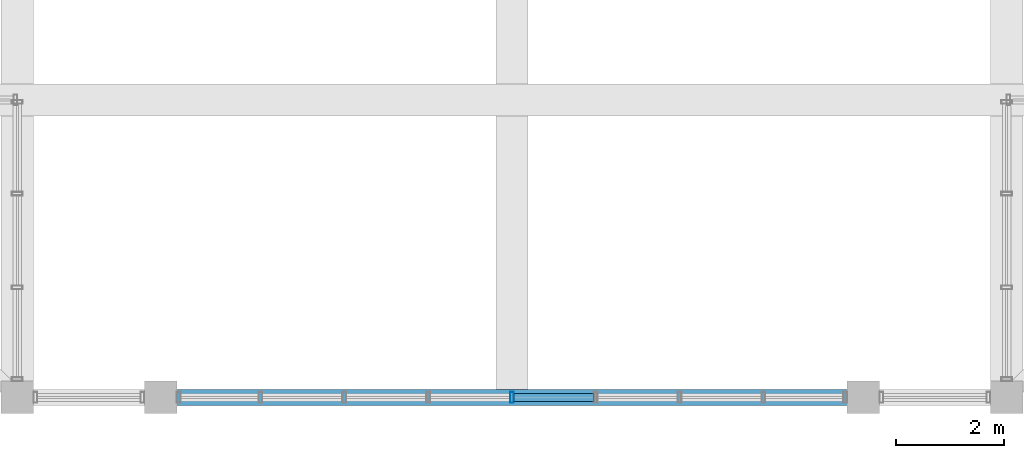
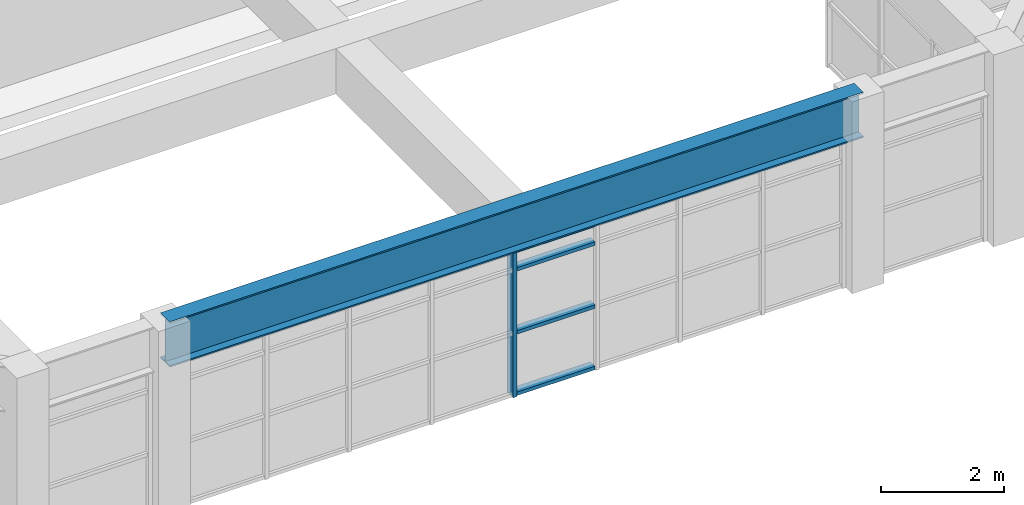
# One storey, part 3 of 28: 5 members, 1 beam, 1 element without a shape of its own.
"""IFC4 building model written with IfcOpenShell, lengths in metres."""

from ifc_helpers import new_model, si_unit, direction, frame, origin, origin_2d, place, context, subcontext, project, spatial, hollow_rectangle, i_section, extrude, source, transform, mapped, material, layer, layer_set, material_profile, profile_set, type_object, element, aggregate, save


model = new_model("IFC4")

# Units and contexts
model_context = context("Model", 3, precision=1e-05, world=origin(), true_north=direction((0.0, 1.0)))
body_context = subcontext(model_context, "Body", "Model", "MODEL_VIEW")
ifc_project = project(units=[si_unit("LENGTHUNIT", "METRE"), si_unit("AREAUNIT", "SQUARE_METRE"), si_unit("VOLUMEUNIT", "CUBIC_METRE"), si_unit("PLANEANGLEUNIT", "RADIAN"), si_unit("MASSUNIT", "GRAM", prefix="KILO")], contexts=[model_context])

# Site, building, storey
site_placement = place(None, origin())
site = spatial("IfcSite", under=ifc_project, at=site_placement, CompositionType="ELEMENT")
building_placement = place(site_placement, origin())
building = spatial("IfcBuilding", under=site, at=building_placement, Name="Saelheon Loggia Tower", CompositionType="ELEMENT")
storey_placement = place(building_placement, frame((0.0, 0.0, 271.199951171875)))
storey = spatial("IfcBuildingStorey", under=building, at=storey_placement, Name="CR6", CompositionType="ELEMENT", Elevation=271.199951171875)

# Beam
ifc_material_1 = material(Name="Steel SM355", Category="steel")
ifc_material_profile_1 = material_profile(ifc_material_1, i_section(OverallWidth=0.300048828125, OverallDepth=0.89990234375, WebThickness=0.01611328125, FlangeThickness=0.028076171875, at=origin_2d()), Name="H-900x300x16x28")
ifc_profile_set_1 = profile_set([ifc_material_profile_1], Name="Steel SM355")
beam_type = type_object("IfcBeamType", Name="Beam_PoolGirder_Steel_H900", PredefinedType="BEAM", material=ifc_profile_set_1)
shared_shape_1 = source(origin(), body_context, "Body", "SweptSolid", [
    extrude(i_section(OverallWidth=0.300048828125, OverallDepth=0.89990234375, WebThickness=0.01611328125, FlangeThickness=0.028076171875, at=origin_2d()), origin(), (0.0, 0.0, 1.0), 13.0),
])
beam_placement = place(storey_placement, frame((31.5, 6.35009765625, 3.35009765625), z_axis=(1.0, 0.0, 0.0), x_axis=(0.0, 1.0, 0.0)))
element("IfcBeam", 1, at=beam_placement, inside=storey, type_object=beam_type, Name="CR6 CROWN FRAME Sill Girder 02", PredefinedType="BEAM", context=body_context, shape_type="MappedRepresentation", body=[
    mapped(shared_shape_1, transform((0.0, 0.0, 0.0), scale=1.0)),
])

# Curtain wall, members
ifc_material_2 = material(Name="Bronze-Anodised Aluminium and Fritted Ceramic Screen", Category="aluminium")
ifc_layer = layer(ifc_material_2, 0.219970703125)
ifc_layer_set = layer_set([ifc_layer], Name="Bronze-Anodised Aluminium and Fritted Ceramic Screen")
curtain_wall_type = type_object("IfcCurtainWallType", Name="CW_CrownScreen", PredefinedType="NOTDEFINED", material=ifc_layer_set)
curtain_wall_placement = place(storey_placement, origin())
curtain_wall = element("IfcCurtainWall", 2, at=curtain_wall_placement, inside=storey, type_object=curtain_wall_type, Name="CR6 Crown Screen Curtain Wall 0-2", PredefinedType="NOTDEFINED")
ifc_material_3 = material(Name="Bronze-Anodised Aluminium 6063-T6", Category="aluminium")
ifc_material_profile_2 = material_profile(ifc_material_3, hollow_rectangle(XDim=0.070068359375, YDim=0.199951171875, WallThickness=0.0048828125, at=origin_2d()), Name="RHS-200x70x5")
ifc_profile_set_2 = profile_set([ifc_material_profile_2], Name="Bronze-Anodised Aluminium 6063-T6")
member_type_1 = type_object("IfcMemberType", Name="CW_CrownScreen_Mullion", PredefinedType="MULLION", material=ifc_profile_set_2)
shared_shape_2 = source(origin(), body_context, "Body", "SweptSolid", [
    extrude(hollow_rectangle(XDim=0.070068359375, YDim=0.199951171875, WallThickness=0.0048828125, at=origin_2d()), origin(), (0.0, 0.0, 1.0), 2.900146484375),
])
member_1_placement = place(storey_placement, frame((38.0, 6.35009765625, 0.0), z_axis=(0.0, 0.0, 1.0), x_axis=(1.0, 0.0, 0.0)))
member_1 = element("IfcMember", 3, at=member_1_placement, type_object=member_type_1, Name="CW6 mullion 5", PredefinedType="MULLION", context=body_context, shape_type="MappedRepresentation", body=[
    mapped(shared_shape_2, transform((0.0, 0.0, 0.0), scale=1.0)),
])
ifc_material_profile_3 = material_profile(ifc_material_3, hollow_rectangle(XDim=0.070068359375, YDim=0.14990234375, WallThickness=0.0048828125, at=origin_2d()), Name="RHS-150x70x5")
ifc_profile_set_3 = profile_set([ifc_material_profile_3], Name="Bronze-Anodised Aluminium 6063-T6")
member_type_2 = type_object("IfcMemberType", Name="CW_CrownScreen_Transom", PredefinedType="USERDEFINED", material=ifc_profile_set_3)
shared_shape_3 = source(origin(), body_context, "Body", "SweptSolid", [
    extrude(hollow_rectangle(XDim=0.070068359375, YDim=0.14990234375, WallThickness=0.0048828125, at=origin_2d()), origin(), (0.0, 0.0, 1.0), 1.47998046875),
])
member_2_placement = place(storey_placement, frame((38.034912109375, 6.35009765625, 0.03515625), z_axis=(1.0, 0.0, 0.0), x_axis=(0.0, 0.0, 1.0)))
member_2 = element("IfcMember", 4, at=member_2_placement, type_object=member_type_2, Name="CW6 transom 5.1", ObjectType="TRANSOM", PredefinedType="USERDEFINED", context=body_context, shape_type="MappedRepresentation", body=[
    mapped(shared_shape_3, transform((0.0, 0.0, 0.0), scale=1.0)),
])
member_3_placement = place(storey_placement, frame((38.034912109375, 6.35009765625, 1.25), z_axis=(1.0, 0.0, 0.0), x_axis=(0.0, 0.0, 1.0)))
member_3 = element("IfcMember", 5, at=member_3_placement, type_object=member_type_2, Name="CW6 transom 5.2", ObjectType="TRANSOM", PredefinedType="USERDEFINED", context=body_context, shape_type="MappedRepresentation", body=[
    mapped(shared_shape_3, transform((0.0, 0.0, 0.0), scale=1.0)),
])
member_4_placement = place(storey_placement, frame((38.034912109375, 6.35009765625, 2.5), z_axis=(1.0, 0.0, 0.0), x_axis=(0.0, 0.0, 1.0)))
member_4 = element("IfcMember", 6, at=member_4_placement, type_object=member_type_2, Name="CW6 transom 5.3", ObjectType="TRANSOM", PredefinedType="USERDEFINED", context=body_context, shape_type="MappedRepresentation", body=[
    mapped(shared_shape_3, transform((0.0, 0.0, 0.0), scale=1.0)),
])
member_5_placement = place(storey_placement, frame((38.034912109375, 6.35009765625, 2.864990234375), z_axis=(1.0, 0.0, 0.0), x_axis=(0.0, 0.0, 1.0)))
member_5 = element("IfcMember", 7, at=member_5_placement, type_object=member_type_2, Name="CW6 transom 5.4", ObjectType="TRANSOM", PredefinedType="USERDEFINED", context=body_context, shape_type="MappedRepresentation", body=[
    mapped(shared_shape_3, transform((0.0, 0.0, 0.0), scale=1.0)),
])
aggregate(curtain_wall, [member_1, member_2, member_3, member_4, member_5])

save(model, "model.ifc")
